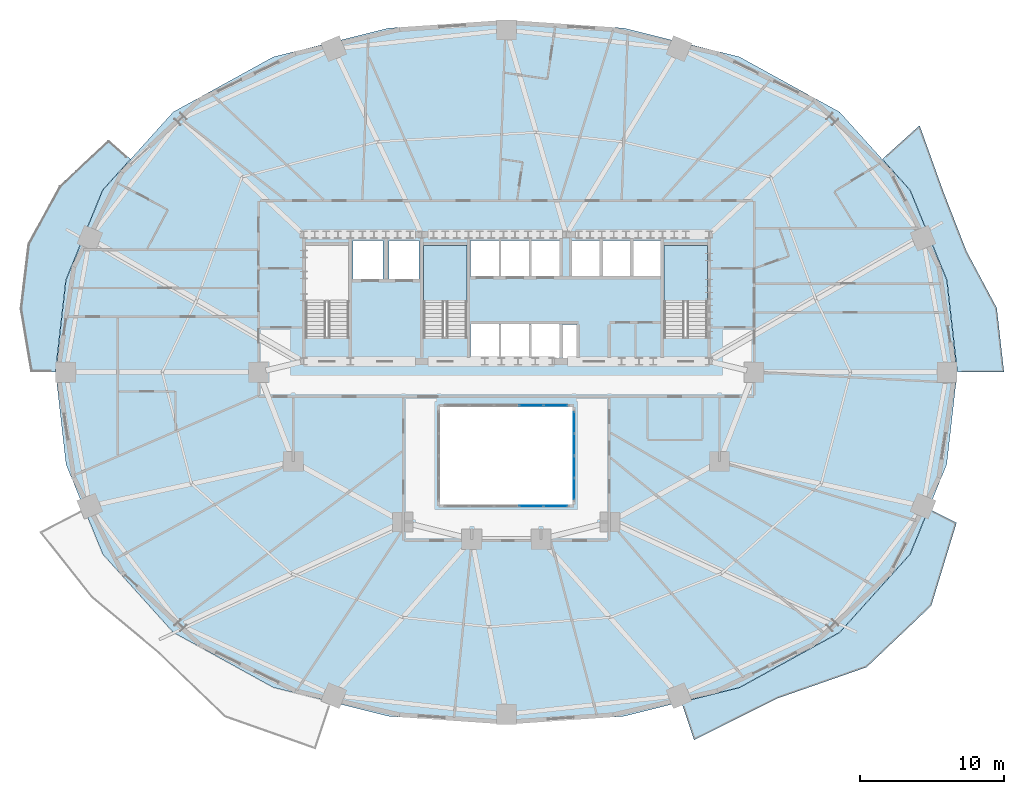
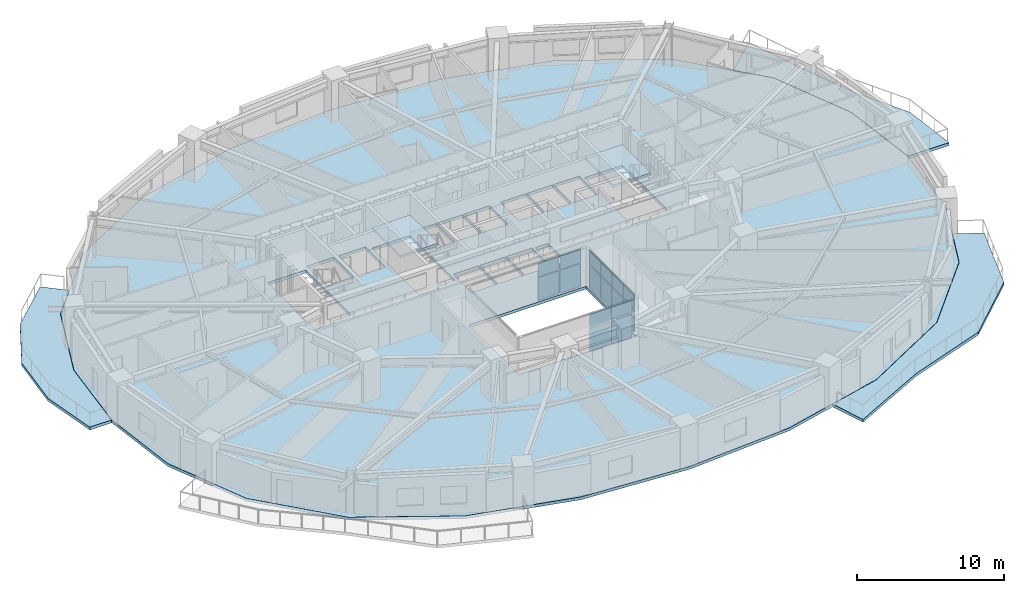
# One storey, part 8 of 17: 16 plates, 6 slabs, 5 elements without a shape of their own.
"""IFC4 building model written with IfcOpenShell, lengths in metres."""

from ifc_helpers import new_model, si_unit, direction, frame, origin, origin_2d, place, context, subcontext, project, spatial, polyline, rectangle, outline, extrude, material, layer, layer_set, type_object, element, aggregate, save


model = new_model("IFC4")

# Units and contexts
model_context = context("Model", 3, precision=1e-05, world=origin(), true_north=direction((0.0, 1.0)))
body_context = subcontext(model_context, "Body", "Model", "MODEL_VIEW")
ifc_project = project(units=[si_unit("LENGTHUNIT", "METRE"), si_unit("AREAUNIT", "SQUARE_METRE"), si_unit("VOLUMEUNIT", "CUBIC_METRE"), si_unit("PLANEANGLEUNIT", "RADIAN"), si_unit("MASSUNIT", "GRAM", prefix="KILO")], contexts=[model_context])

# Site, building, storey
site_placement = place(None, origin())
site = spatial("IfcSite", under=ifc_project, at=site_placement, CompositionType="ELEMENT")
building_placement = place(site_placement, origin())
building = spatial("IfcBuilding", under=site, at=building_placement, Name="Haldorwick Loom Tower", CompositionType="ELEMENT")
storey_placement = place(building_placement, frame((0.0, 0.0, 44.699951171875)))
storey = spatial("IfcBuildingStorey", under=building, at=storey_placement, Name="L11", CompositionType="ELEMENT", Elevation=44.699951171875)

# Curtain wall, plates
ifc_material_1 = material(Name="Thermally Broken Anodized Aluminium Curtain Wall Framing", Category="aluminium")
curtain_wall_type = type_object("IfcCurtainWallType", Name="ARC-CW-03", PredefinedType="NOTDEFINED", material=ifc_material_1)
curtain_wall_1_placement = place(storey_placement, origin())
curtain_wall_1 = element("IfcCurtainWall", 1, at=curtain_wall_1_placement, inside=storey, type_object=curtain_wall_type, Name="L11 Atrium Glazed Screen S", PredefinedType="NOTDEFINED")
ifc_material_2 = material(Name="Triple-Glazed Low-E Argon Insulated Glazing Unit", Category="glass")
ifc_layer_1 = layer(ifc_material_2, 0.04296875, Name="Triple-Glazed Low-E Argon Insulated Glazing Unit", Category="glass")
ifc_layer_set_1 = layer_set([ifc_layer_1], Name="Triple-Glazed Low-E Argon Insulated Glazing Unit")
plate_type = type_object("IfcPlateType", Name="ARC-CWP-03", PredefinedType="CURTAIN_PANEL", material=ifc_layer_set_1)
plate_1_placement = place(storey_placement, frame((39.423583984375, 16.699951171875, 0.066162109375), z_axis=(0.0, 0.0, 1.0), x_axis=(-1.0, 0.0, 0.0)))
plate_1 = element("IfcPlate", 2, at=plate_1_placement, type_object=plate_type, Name="CW-03 panel 1.1", PredefinedType="CURTAIN_PANEL", context=body_context, shape_type="SweptSolid", body=[
    extrude(rectangle(XDim=1.62109375, YDim=0.04296875, at=origin_2d()), origin(), (0.0, 0.0, 1.0), 1.90087890625),
])
plate_2_placement = place(storey_placement, frame((39.423583984375, 16.699951171875, 2.033203125), z_axis=(0.0, 0.0, 1.0), x_axis=(-1.0, 0.0, 0.0)))
plate_2 = element("IfcPlate", 3, at=plate_2_placement, type_object=plate_type, Name="CW-03 panel 1.2", PredefinedType="CURTAIN_PANEL", context=body_context, shape_type="SweptSolid", body=[
    extrude(rectangle(XDim=1.62109375, YDim=0.04296875, at=origin_2d()), origin(), (0.0, 0.0, 1.0), 1.111083984375),
])
plate_3_placement = place(storey_placement, frame((37.719970703125, 16.699951171875, 0.066162109375), z_axis=(0.0, 0.0, 1.0), x_axis=(-1.0, 0.0, 0.0)))
plate_3 = element("IfcPlate", 4, at=plate_3_placement, type_object=plate_type, Name="CW-03 panel 2.1", PredefinedType="CURTAIN_PANEL", context=body_context, shape_type="SweptSolid", body=[
    extrude(rectangle(XDim=1.654052734375, YDim=0.04296875, at=origin_2d()), origin(), (0.0, 0.0, 1.0), 1.90087890625),
])
plate_4_placement = place(storey_placement, frame((37.719970703125, 16.699951171875, 2.033203125), z_axis=(0.0, 0.0, 1.0), x_axis=(-1.0, 0.0, 0.0)))
plate_4 = element("IfcPlate", 5, at=plate_4_placement, type_object=plate_type, Name="CW-03 panel 2.2", PredefinedType="CURTAIN_PANEL", context=body_context, shape_type="SweptSolid", body=[
    extrude(rectangle(XDim=1.654052734375, YDim=0.04296875, at=origin_2d()), origin(), (0.0, 0.0, 1.0), 1.111083984375),
])
aggregate(curtain_wall_1, [plate_1, plate_2, plate_3, plate_4])

curtain_wall_2_placement = place(storey_placement, origin())
curtain_wall_2 = element("IfcCurtainWall", 6, at=curtain_wall_2_placement, inside=storey, type_object=curtain_wall_type, Name="L11 Atrium Glazed Screen N", PredefinedType="NOTDEFINED")
plate_5_placement = place(storey_placement, frame((37.719970703125, 23.699951171875, 0.066162109375), z_axis=(0.0, 0.0, 1.0), x_axis=(1.0, 0.0, 0.0)))
plate_5 = element("IfcPlate", 7, at=plate_5_placement, type_object=plate_type, Name="CW-03 panel 4.1", PredefinedType="CURTAIN_PANEL", context=body_context, shape_type="SweptSolid", body=[
    extrude(rectangle(XDim=1.654052734375, YDim=0.04296875, at=origin_2d()), origin(), (0.0, 0.0, 1.0), 1.90087890625),
])
plate_6_placement = place(storey_placement, frame((37.719970703125, 23.699951171875, 2.033203125), z_axis=(0.0, 0.0, 1.0), x_axis=(1.0, 0.0, 0.0)))
plate_6 = element("IfcPlate", 8, at=plate_6_placement, type_object=plate_type, Name="CW-03 panel 4.2", PredefinedType="CURTAIN_PANEL", context=body_context, shape_type="SweptSolid", body=[
    extrude(rectangle(XDim=1.654052734375, YDim=0.04296875, at=origin_2d()), origin(), (0.0, 0.0, 1.0), 1.111083984375),
])
plate_7_placement = place(storey_placement, frame((39.423583984375, 23.699951171875, 0.066162109375), z_axis=(0.0, 0.0, 1.0), x_axis=(1.0, 0.0, 0.0)))
plate_7 = element("IfcPlate", 9, at=plate_7_placement, type_object=plate_type, Name="CW-03 panel 5.1", PredefinedType="CURTAIN_PANEL", context=body_context, shape_type="SweptSolid", body=[
    extrude(rectangle(XDim=1.62109375, YDim=0.04296875, at=origin_2d()), origin(), (0.0, 0.0, 1.0), 1.90087890625),
])
plate_8_placement = place(storey_placement, frame((39.423583984375, 23.699951171875, 2.033203125), z_axis=(0.0, 0.0, 1.0), x_axis=(1.0, 0.0, 0.0)))
plate_8 = element("IfcPlate", 10, at=plate_8_placement, type_object=plate_type, Name="CW-03 panel 5.2", PredefinedType="CURTAIN_PANEL", context=body_context, shape_type="SweptSolid", body=[
    extrude(rectangle(XDim=1.62109375, YDim=0.04296875, at=origin_2d()), origin(), (0.0, 0.0, 1.0), 1.111083984375),
])
aggregate(curtain_wall_2, [plate_5, plate_6, plate_7, plate_8])

curtain_wall_3_placement = place(storey_placement, origin())
curtain_wall_3 = element("IfcCurtainWall", 11, at=curtain_wall_3_placement, inside=storey, type_object=curtain_wall_type, Name="L11 Atrium Glazed Screen E", PredefinedType="NOTDEFINED")
plate_9_placement = place(storey_placement, frame((40.699951171875, 22.508544921875, 0.066162109375), z_axis=(0.0, 0.0, 1.0), x_axis=(0.0, -1.0, 0.0)))
plate_9 = element("IfcPlate", 12, at=plate_9_placement, type_object=plate_type, Name="CW-03 panel 1.1", PredefinedType="CURTAIN_PANEL", context=body_context, shape_type="SweptSolid", body=[
    extrude(rectangle(XDim=1.450927734375, YDim=0.04296875, at=origin_2d()), origin(), (0.0, 0.0, 1.0), 1.90087890625),
])
plate_10_placement = place(storey_placement, frame((40.699951171875, 22.508544921875, 2.033203125), z_axis=(0.0, 0.0, 1.0), x_axis=(0.0, -1.0, 0.0)))
plate_10 = element("IfcPlate", 13, at=plate_10_placement, type_object=plate_type, Name="CW-03 panel 1.2", PredefinedType="CURTAIN_PANEL", context=body_context, shape_type="SweptSolid", body=[
    extrude(rectangle(XDim=1.450927734375, YDim=0.04296875, at=origin_2d()), origin(), (0.0, 0.0, 1.0), 1.111083984375),
])
plate_11_placement = place(storey_placement, frame((40.699951171875, 20.97509765625, 0.066162109375), z_axis=(0.0, 0.0, 1.0), x_axis=(0.0, -1.0, 0.0)))
plate_11 = element("IfcPlate", 14, at=plate_11_placement, type_object=plate_type, Name="CW-03 panel 2.1", PredefinedType="CURTAIN_PANEL", context=body_context, shape_type="SweptSolid", body=[
    extrude(rectangle(XDim=1.48388671875, YDim=0.04296875, at=origin_2d()), origin(), (0.0, 0.0, 1.0), 1.90087890625),
])
plate_12_placement = place(storey_placement, frame((40.699951171875, 20.97509765625, 2.033203125), z_axis=(0.0, 0.0, 1.0), x_axis=(0.0, -1.0, 0.0)))
plate_12 = element("IfcPlate", 15, at=plate_12_placement, type_object=plate_type, Name="CW-03 panel 2.2", PredefinedType="CURTAIN_PANEL", context=body_context, shape_type="SweptSolid", body=[
    extrude(rectangle(XDim=1.48388671875, YDim=0.04296875, at=origin_2d()), origin(), (0.0, 0.0, 1.0), 1.111083984375),
])
plate_13_placement = place(storey_placement, frame((40.699951171875, 19.425048828125, 0.066162109375), z_axis=(0.0, 0.0, 1.0), x_axis=(0.0, -1.0, 0.0)))
plate_13 = element("IfcPlate", 16, at=plate_13_placement, type_object=plate_type, Name="CW-03 panel 3.1", PredefinedType="CURTAIN_PANEL", context=body_context, shape_type="SweptSolid", body=[
    extrude(rectangle(XDim=1.48388671875, YDim=0.04296875, at=origin_2d()), origin(), (0.0, 0.0, 1.0), 1.90087890625),
])
plate_14_placement = place(storey_placement, frame((40.699951171875, 19.425048828125, 2.033203125), z_axis=(0.0, 0.0, 1.0), x_axis=(0.0, -1.0, 0.0)))
plate_14 = element("IfcPlate", 17, at=plate_14_placement, type_object=plate_type, Name="CW-03 panel 3.2", PredefinedType="CURTAIN_PANEL", context=body_context, shape_type="SweptSolid", body=[
    extrude(rectangle(XDim=1.48388671875, YDim=0.04296875, at=origin_2d()), origin(), (0.0, 0.0, 1.0), 1.111083984375),
])
plate_15_placement = place(storey_placement, frame((40.699951171875, 17.8916015625, 0.066162109375), z_axis=(0.0, 0.0, 1.0), x_axis=(0.0, -1.0, 0.0)))
plate_15 = element("IfcPlate", 18, at=plate_15_placement, type_object=plate_type, Name="CW-03 panel 4.1", PredefinedType="CURTAIN_PANEL", context=body_context, shape_type="SweptSolid", body=[
    extrude(rectangle(XDim=1.450927734375, YDim=0.04296875, at=origin_2d()), origin(), (0.0, 0.0, 1.0), 1.90087890625),
])
plate_16_placement = place(storey_placement, frame((40.699951171875, 17.8916015625, 2.033203125), z_axis=(0.0, 0.0, 1.0), x_axis=(0.0, -1.0, 0.0)))
plate_16 = element("IfcPlate", 19, at=plate_16_placement, type_object=plate_type, Name="CW-03 panel 4.2", PredefinedType="CURTAIN_PANEL", context=body_context, shape_type="SweptSolid", body=[
    extrude(rectangle(XDim=1.450927734375, YDim=0.04296875, at=origin_2d()), origin(), (0.0, 0.0, 1.0), 1.111083984375),
])
aggregate(curtain_wall_3, [plate_9, plate_10, plate_11, plate_12, plate_13, plate_14, plate_15, plate_16])

# Slabs
ifc_material_3 = material(Name="Concrete C40 (40 MPa)", Category="concrete")
ifc_layer_2 = layer(ifc_material_3, 0.239990234375, Name="Concrete C40 (40 MPa)", Category="concrete")
ifc_layer_set_2 = layer_set([ifc_layer_2], Name="Concrete C40 (40 MPa)")
slab_type_1 = type_object("IfcSlabType", Name="STR-SLB-BAL240", PredefinedType="FLOOR", material=ifc_layer_set_2)
slab_1_placement = place(storey_placement, frame((0.0, 0.0, -0.239990234375)))
element("IfcSlab", 20, at=slab_1_placement, inside=storey, type_object=slab_type_1, Name="L11 Sinusoidal Balcony Terrace BAL_SE", PredefinedType="FLOOR", context=body_context, shape_type="SweptSolid", body=[
    extrude(outline(polyline([(65.32470703125, 16.51806640625), (64.031494140625, 13.356689453125), (64.031005859375, 13.355712890625), (64.030517578125, 13.3544921875), (64.02978515625, 13.353515625), (64.02880859375, 13.3525390625), (59.13623046875, 7.92333984375), (59.13525390625, 7.922119140625), (59.1337890625, 7.921142578125), (59.13232421875, 7.92041015625), (52.18310546875, 4.09814453125), (52.18212890625, 4.097412109375), (52.180908203125, 4.096923828125), (52.1796875, 4.0966796875), (48.15234375, 3.091064453125), (49.03271484375, 0.4716796875), (54.848876953125, 3.368896484375), (61.010009765625, 5.52099609375), (65.49072265625, 9.7822265625), (67.24951171875, 15.539306640625), (65.32470703125, 16.51806640625)])), origin(), (0.0, 0.0, 1.0), 0.239990234375),
])
slab_2_placement = place(storey_placement, frame((0.0, 0.0, -0.239990234375)))
element("IfcSlab", 21, at=slab_2_placement, inside=storey, type_object=slab_type_1, Name="L11 Sinusoidal Balcony Terrace BAL_WNW", PredefinedType="FLOOR", context=body_context, shape_type="SweptSolid", body=[
    extrude(outline(polyline([(4.68896484375, 26.0), (4.689208984375, 26.001708984375), (5.41552734375, 32.40087890625), (5.415771484375, 32.40234375), (5.416015625, 32.40380859375), (5.41650390625, 32.405029296875), (7.968505859375, 38.643310546875), (7.968994140625, 38.644287109375), (7.969482421875, 38.6455078125), (7.97021484375, 38.646484375), (7.97119140625, 38.6474609375), (9.90087890625, 40.788818359375), (8.386474609375, 42.1318359375), (4.966552734375, 38.94482421875), (2.772216796875, 34.9208984375), (2.2333984375, 30.393310546875), (2.9775390625, 26.0), (4.68896484375, 26.0)])), origin(), (0.0, 0.0, 1.0), 0.239990234375),
])
slab_3_placement = place(storey_placement, frame((0.0, 0.0, -0.239990234375)))
element("IfcSlab", 22, at=slab_3_placement, inside=storey, type_object=slab_type_1, Name="L11 Sinusoidal Balcony Terrace BAL_ENE", PredefinedType="FLOOR", context=body_context, shape_type="SweptSolid", body=[
    extrude(outline(polyline([(62.098388671875, 40.789794921875), (64.02880859375, 38.6474609375), (64.02978515625, 38.646484375), (64.030517578125, 38.6455078125), (64.031005859375, 38.644287109375), (64.031494140625, 38.643310546875), (66.58349609375, 32.405029296875), (66.583984375, 32.40380859375), (66.584228515625, 32.40234375), (66.58447265625, 32.40087890625), (67.310791015625, 26.001708984375), (67.31103515625, 26.0), (70.5458984375, 26.0), (70.043701171875, 30.449462890625), (67.945556640625, 34.3876953125), (66.34619140625, 38.49658203125), (64.68408203125, 43.12744140625), (62.098388671875, 40.789794921875)])), origin(), (0.0, 0.0, 1.0), 0.239990234375),
])

# Stair, slab
stair_type = type_object("IfcStairType", Name="STR-STR-CORE", PredefinedType="HALF_TURN_STAIR", material=ifc_material_3)
stair_1_placement = place(storey_placement, origin())
stair_1 = element("IfcStair", 23, at=stair_1_placement, inside=storey, type_object=stair_type, Name="L11 Exit Stair ST-02", PredefinedType="HALF_TURN_STAIR")
ifc_layer_3 = layer(ifc_material_3, 0.199951171875, Name="Concrete C40 (40 MPa)", Category="concrete")
ifc_layer_set_3 = layer_set([ifc_layer_3], Name="Concrete C40 (40 MPa)")
slab_type_2 = type_object("IfcSlabType", Name="STR-SLB-LAND200", PredefinedType="LANDING", material=ifc_layer_set_3)
slab_4_placement = place(storey_placement, frame((0.0, 0.0, 1.525146484375)))
slab_4 = element("IfcSlab", 24, at=slab_4_placement, type_object=slab_type_2, Name="ST-02 landing 1", PredefinedType="LANDING", context=body_context, shape_type="SweptSolid", body=[
    extrude(outline(polyline([(49.949951171875, 30.919921875), (49.949951171875, 34.800048828125), (46.949951171875, 34.800048828125), (46.949951171875, 30.919921875), (49.949951171875, 30.919921875)])), origin(), (0.0, 0.0, 1.0), 0.199951171875),
])
aggregate(stair_1, [slab_4])

stair_2_placement = place(storey_placement, origin())
stair_2 = element("IfcStair", 25, at=stair_2_placement, inside=storey, type_object=stair_type, Name="L11 Exit Stair ST-03", PredefinedType="HALF_TURN_STAIR")
slab_5_placement = place(storey_placement, frame((0.0, 0.0, 1.525146484375)))
slab_5 = element("IfcSlab", 26, at=slab_5_placement, type_object=slab_type_2, Name="ST-03 landing 1", PredefinedType="LANDING", context=body_context, shape_type="SweptSolid", body=[
    extrude(outline(polyline([(33.25, 30.919921875), (33.25, 34.800048828125), (30.25, 34.800048828125), (30.25, 30.919921875), (33.25, 30.919921875)])), origin(), (0.0, 0.0, 1.0), 0.199951171875),
])
aggregate(stair_2, [slab_5])

# Slab
ifc_layer_4 = layer(ifc_material_3, 0.239990234375, Name="Concrete C40 (40 MPa)", Category="concrete")
ifc_layer_set_4 = layer_set([ifc_layer_4], Name="Concrete C40 (40 MPa)")
slab_type_3 = type_object("IfcSlabType", Name="STR-SLB-RES240", PredefinedType="FLOOR", material=ifc_layer_set_4)
slab_6_placement = place(storey_placement, frame((0.0, 0.0, -0.239990234375)))
element("IfcSlab", 27, at=slab_6_placement, inside=storey, type_object=slab_type_3, Name="L11 Residential Structural Floor Slab", PredefinedType="FLOOR", context=body_context, shape_type="SweptSolid", body=[
    extrude(outline(polyline([(59.125244140625, 7.933349609375), (64.017578125, 13.362548828125), (66.569580078125, 19.6005859375), (67.2958984375, 26.0), (66.569580078125, 32.3994140625), (64.017578125, 38.637451171875), (59.125244140625, 44.066650390625), (52.176025390625, 47.888916015625), (44.191162109375, 49.882568359375), (36.0, 50.449951171875), (27.808837890625, 49.882568359375), (19.823974609375, 47.888916015625), (12.874755859375, 44.066650390625), (7.982421875, 38.637451171875), (5.430419921875, 32.3994140625), (4.7041015625, 26.0), (5.430419921875, 19.6005859375), (7.982421875, 13.362548828125), (12.874755859375, 7.933349609375), (19.823974609375, 4.111083984375), (27.808837890625, 2.117431640625), (36.0, 1.550048828125), (44.191162109375, 2.117431640625), (52.176025390625, 4.111083984375), (59.125244140625, 7.933349609375)]), holes=[polyline([(31.39990234375, 23.60009765625), (40.60009765625, 23.60009765625), (40.60009765625, 16.800048828125), (31.39990234375, 16.800048828125), (31.39990234375, 23.60009765625)]), polyline([(33.5, 26.85009765625), (33.5, 29.35009765625), (35.5, 29.35009765625), (35.5, 26.85009765625), (33.5, 26.85009765625)]), polyline([(22.050048828125, 28.39990234375), (22.050048828125, 34.800048828125), (25.050048828125, 34.800048828125), (25.050048828125, 28.639892578125), (23.6201171875, 28.639892578125), (23.6201171875, 28.39990234375), (22.050048828125, 28.39990234375)]), polyline([(30.25, 28.39990234375), (30.25, 34.800048828125), (33.25, 34.800048828125), (33.25, 28.639892578125), (31.820068359375, 28.639892578125), (31.820068359375, 28.39990234375), (30.25, 28.39990234375)]), polyline([(25.35009765625, 32.449951171875), (25.35009765625, 35.14990234375), (27.449951171875, 35.14990234375), (27.449951171875, 32.449951171875), (25.35009765625, 32.449951171875)]), polyline([(27.85009765625, 32.449951171875), (27.85009765625, 35.14990234375), (29.949951171875, 35.14990234375), (29.949951171875, 32.449951171875), (27.85009765625, 32.449951171875)]), polyline([(33.5, 32.64990234375), (33.5, 35.14990234375), (35.5, 35.14990234375), (35.5, 32.64990234375), (33.5, 32.64990234375)]), polyline([(35.60009765625, 32.64990234375), (35.60009765625, 35.14990234375), (37.60009765625, 35.14990234375), (37.60009765625, 32.64990234375), (35.60009765625, 32.64990234375)]), polyline([(35.60009765625, 26.85009765625), (35.60009765625, 29.35009765625), (37.60009765625, 29.35009765625), (37.60009765625, 26.85009765625), (35.60009765625, 26.85009765625)]), polyline([(37.699951171875, 26.85009765625), (37.699951171875, 29.35009765625), (39.699951171875, 29.35009765625), (39.699951171875, 26.85009765625), (37.699951171875, 26.85009765625)]), polyline([(39.89990234375, 26.89990234375), (39.89990234375, 29.300048828125), (40.89990234375, 29.300048828125), (40.89990234375, 26.89990234375), (39.89990234375, 26.89990234375)]), polyline([(46.949951171875, 28.39990234375), (46.949951171875, 34.800048828125), (49.949951171875, 34.800048828125), (49.949951171875, 28.639892578125), (48.52001953125, 28.639892578125), (48.52001953125, 28.39990234375), (46.949951171875, 28.39990234375)]), polyline([(37.699951171875, 32.64990234375), (37.699951171875, 35.14990234375), (39.699951171875, 35.14990234375), (39.699951171875, 32.64990234375), (37.699951171875, 32.64990234375)]), polyline([(40.550048828125, 32.64990234375), (40.550048828125, 35.14990234375), (42.550048828125, 35.14990234375), (42.550048828125, 32.64990234375), (40.550048828125, 32.64990234375)]), polyline([(42.64990234375, 32.64990234375), (42.64990234375, 35.14990234375), (44.64990234375, 35.14990234375), (44.64990234375, 32.64990234375), (42.64990234375, 32.64990234375)]), polyline([(44.75, 32.64990234375), (44.75, 35.14990234375), (46.75, 35.14990234375), (46.75, 32.64990234375), (44.75, 32.64990234375)])]), origin(), (0.0, 0.0, 1.0), 0.239990234375),
])

save(model, "model.ifc")
